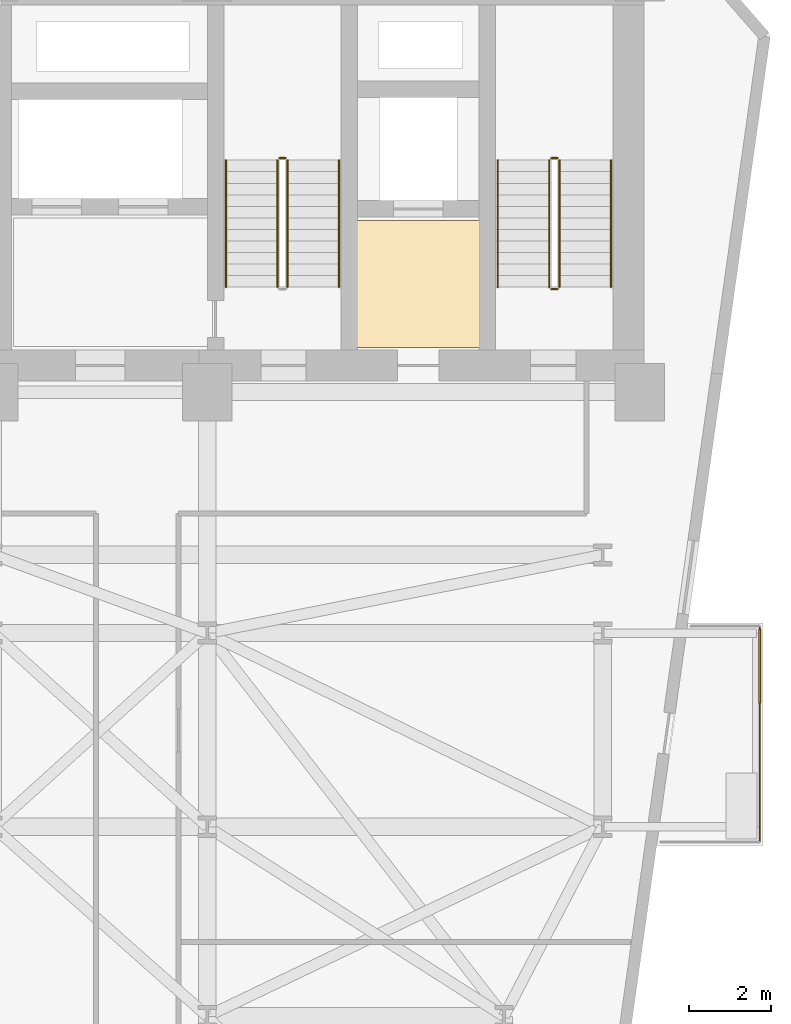
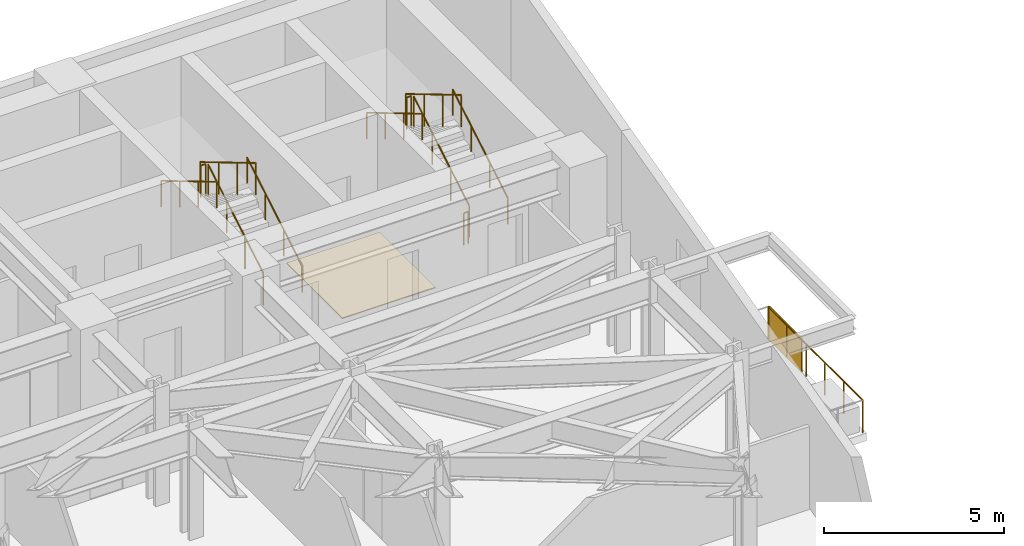
# One storey, part 25 of 25: 12 railings, 1 covering, 1 shading device.
"""IFC4 building model written with IfcOpenShell, lengths in metres."""

from ifc_helpers import new_model, si_unit, direction, frame, origin, origin_2d, place, context, subcontext, project, spatial, polyline, rectangle, circle, outline, extrude, material, layer, layer_set, type_object, element, save


model = new_model("IFC4")

# Units and contexts
model_context = context("Model", 3, precision=1e-05, world=origin(), true_north=direction((0.0, 1.0)))
body_context = subcontext(model_context, "Body", "Model", "MODEL_VIEW")
ifc_project = project(units=[si_unit("LENGTHUNIT", "METRE"), si_unit("AREAUNIT", "SQUARE_METRE"), si_unit("VOLUMEUNIT", "CUBIC_METRE"), si_unit("PLANEANGLEUNIT", "RADIAN"), si_unit("MASSUNIT", "GRAM", prefix="KILO")], contexts=[model_context])

# Site, building, storey
site_placement = place(None, origin())
site = spatial("IfcSite", under=ifc_project, at=site_placement, CompositionType="ELEMENT")
building_placement = place(site_placement, origin())
building = spatial("IfcBuilding", under=site, at=building_placement, Name="Kravanh Interchange Tower", CompositionType="ELEMENT")
storey_placement = place(building_placement, frame((0.0, 0.0, 49.5)))
storey = spatial("IfcBuildingStorey", under=building, at=storey_placement, Name="L11", CompositionType="ELEMENT", Elevation=49.5)

# Covering
ifc_material_1 = material(Name="Cementitious Terrazzo Tile")
ifc_layer_1 = layer(ifc_material_1, 0.030029296875)
ifc_layer_set_1 = layer_set([ifc_layer_1], Name="Honed Terrazzo Lobby Flooring 30mm")
covering_type = type_object("IfcCoveringType", Name="Honed Terrazzo Lobby Flooring 30mm", PredefinedType="FLOORING", material=ifc_layer_set_1)
covering_placement = place(storey_placement, origin())
element("IfcCovering", 1, at=covering_placement, inside=storey, type_object=covering_type, Name="L11 Service Lift Lobby Floor Finish", PredefinedType="FLOORING", context=body_context, shape_type="SweptSolid", body=[
    extrude(outline(polyline([(59.6298828125, 41.52001953125), (62.6201171875, 41.52001953125), (62.6201171875, 38.429931640625), (59.6298828125, 38.429931640625), (59.6298828125, 41.52001953125)])), origin(), (0.0, 0.0, 1.0), 0.030029296875),
])

# Shading device
ifc_material_2 = material(Name="Perforated Anodised Bronze Aluminium", Category="aluminium")
ifc_layer_2 = layer(ifc_material_2, 0.0400390625)
ifc_layer_set_2 = layer_set([ifc_layer_2], Name="Perforated Bronze Balcony Privacy Screen 1150mm")
shading_device_type = type_object("IfcShadingDeviceType", Name="Perforated Bronze Balcony Privacy Screen 1150mm", PredefinedType="USERDEFINED", material=ifc_layer_set_2)
shading_device_placement = place(storey_placement, frame((69.409912109375, 30.699951171875, 0.0), z_axis=(0.0, 0.0, 1.0), x_axis=(1.0, 0.0, 0.0)))
element("IfcShadingDevice", 2, at=shading_device_placement, inside=storey, type_object=shading_device_type, Name="L11 E Perforated Bronze BALCONY SCREEN", ObjectType="SCREEN", PredefinedType="USERDEFINED", context=body_context, shape_type="SweptSolid", body=[
    extrude(rectangle(XDim=0.0400390625, YDim=1.800048828125, at=origin_2d()), origin(), (0.0, 0.0, 1.0), 1.14990234375),
])

# Railings
ifc_material_3 = material(Name="Stainless Steel 316", Category="steel")
ifc_layer_3 = layer(ifc_material_3, 0.06005859375)
ifc_layer_set_3 = layer_set([ifc_layer_3], Name="Perimeter Balcony and Terrace Guardrail Stainless 316 1120mm")
railing_type_1 = type_object("IfcRailingType", Name="Perimeter Balcony and Terrace Guardrail Stainless 316 1120mm", PredefinedType="GUARDRAIL", material=ifc_layer_set_3)
railing_1_placement = place(storey_placement, frame((69.409912109375, 31.669921875, 0.0)))
element("IfcRailing", 3, at=railing_1_placement, inside=storey, type_object=railing_type_1, Name="L11 E Balcony Guardrail 1", PredefinedType="GUARDRAIL", context=body_context, shape_type="SweptSolid", body=[
    extrude(circle(Radius=0.02392578125, at=origin_2d()), frame((0.0, 0.0, 1.09619140625), z_axis=(0.0, -1.0, 0.0), x_axis=(1.0, 0.0, 0.0)), (0.0, 0.0, 1.0), 5.239990234375),
    extrude(circle(Radius=0.02099609375, at=origin_2d()), origin(), (0.0, 0.0, 1.0), 1.072021484375),
    extrude(circle(Radius=0.02099609375, at=origin_2d()), frame((0.0, -1.048095703125, 0.0)), (0.0, 0.0, 1.0), 1.072021484375),
    extrude(circle(Radius=0.02099609375, at=origin_2d()), frame((0.0, -2.095947265625, 0.0)), (0.0, 0.0, 1.0), 1.072021484375),
    extrude(circle(Radius=0.02099609375, at=origin_2d()), frame((0.0, -3.14404296875, 0.0)), (0.0, 0.0, 1.0), 1.072021484375),
    extrude(circle(Radius=0.02099609375, at=origin_2d()), frame((0.0, -4.19189453125, 0.0)), (0.0, 0.0, 1.0), 1.072021484375),
    extrude(circle(Radius=0.02099609375, at=origin_2d()), frame((0.0, -5.239990234375, 0.0)), (0.0, 0.0, 1.0), 1.072021484375),
])
ifc_material_4 = material(Name="Structural Steel S355", Category="steel")
ifc_layer_4 = layer(ifc_material_4, 0.050048828125)
ifc_layer_set_4 = layer_set([ifc_layer_4], Name="Stair Well Guardrail Structural Steel S355 1100mm")
railing_type_2 = type_object("IfcRailingType", Name="Stair Well Guardrail Structural Steel S355 1100mm", PredefinedType="GUARDRAIL", material=ifc_layer_set_4)
railing_2_placement = place(storey_placement, frame((64.550048828125, 39.89990234375, 0.166748046875)))
element("IfcRailing", 4, at=railing_2_placement, inside=storey, type_object=railing_type_2, Name="L11 ST1 stair guard 1", PredefinedType="GUARDRAIL", context=body_context, shape_type="SweptSolid", body=[
    extrude(circle(Radius=0.02392578125, at=origin_2d()), frame((0.0, 0.0, 1.076171875), z_axis=(0.0, 0.859308565015, 0.511457515432), x_axis=(-1.0, 0.0, 0.0)), (0.0, 0.0, 1.0), 3.58447265625),
    extrude(circle(Radius=0.02099609375, at=origin_2d()), origin(), (0.0, 0.0, 1.0), 1.052001953125),
    extrude(circle(Radius=0.02099609375, at=origin_2d()), frame((0.0, 1.026611328125, 0.611083984375)), (0.0, 0.0, 1.0), 1.052001953125),
    extrude(circle(Radius=0.02099609375, at=origin_2d()), frame((0.0, 2.053466796875, 1.22216796875)), (0.0, 0.0, 1.0), 1.052001953125),
    extrude(circle(Radius=0.02099609375, at=origin_2d()), frame((0.0, 3.080078125, 1.833251953125)), (0.0, 0.0, 1.0), 1.052001953125),
])
railing_3_placement = place(storey_placement, frame((64.5, 43.030029296875, 2.0)))
element("IfcRailing", 5, at=railing_3_placement, inside=storey, type_object=railing_type_2, Name="L11 ST1 stair guard 2", PredefinedType="GUARDRAIL", context=body_context, shape_type="SweptSolid", body=[
    extrude(circle(Radius=0.02392578125, at=origin_2d()), frame((0.0, 0.0, 1.076171875), z_axis=(-1.0, 0.0, 0.0), x_axis=(0.0, -1.0, 0.0)), (0.0, 0.0, 1.0), 0.14990234375),
    extrude(circle(Radius=0.02099609375, at=origin_2d()), origin(), (0.0, 0.0, 1.0), 1.052001953125),
    extrude(circle(Radius=0.02099609375, at=origin_2d()), frame((-0.14990234375, 0.0, 0.0)), (0.0, 0.0, 1.0), 1.052001953125),
])
railing_4_placement = place(storey_placement, frame((64.300048828125, 42.97998046875, 2.166748046875)))
element("IfcRailing", 6, at=railing_4_placement, inside=storey, type_object=railing_type_2, Name="L11 ST1 stair guard 3", PredefinedType="GUARDRAIL", context=body_context, shape_type="SweptSolid", body=[
    extrude(circle(Radius=0.02392578125, at=origin_2d()), frame((0.0, 0.0, 1.076171875), z_axis=(0.0, -0.859308565015, 0.511457515432), x_axis=(1.0, 0.0, 0.0)), (0.0, 0.0, 1.0), 3.58447265625),
    extrude(circle(Radius=0.02099609375, at=origin_2d()), origin(), (0.0, 0.0, 1.0), 1.052001953125),
    extrude(circle(Radius=0.02099609375, at=origin_2d()), frame((0.0, -1.026611328125, 0.611083984375)), (0.0, 0.0, 1.0), 1.052001953125),
    extrude(circle(Radius=0.02099609375, at=origin_2d()), frame((0.0, -2.053466796875, 1.22216796875)), (0.0, 0.0, 1.0), 1.052001953125),
    extrude(circle(Radius=0.02099609375, at=origin_2d()), frame((0.0, -3.080078125, 1.833251953125)), (0.0, 0.0, 1.0), 1.052001953125),
])
railing_5_placement = place(storey_placement, frame((64.5, 39.85009765625, 0.0)))
element("IfcRailing", 7, at=railing_5_placement, inside=storey, type_object=railing_type_2, Name="L11 ST1 stair guard 4", PredefinedType="GUARDRAIL", context=body_context, shape_type="SweptSolid", body=[
    extrude(circle(Radius=0.02392578125, at=origin_2d()), frame((0.0, 0.0, 1.076171875), z_axis=(-1.0, 0.0, 0.0), x_axis=(0.0, -1.0, 0.0)), (0.0, 0.0, 1.0), 0.14990234375),
    extrude(circle(Radius=0.02099609375, at=origin_2d()), origin(), (0.0, 0.0, 1.0), 1.052001953125),
    extrude(circle(Radius=0.02099609375, at=origin_2d()), frame((-0.14990234375, 0.0, 0.0)), (0.0, 0.0, 1.0), 1.052001953125),
])
railing_6_placement = place(storey_placement, frame((57.949951171875, 39.89990234375, 0.166748046875)))
element("IfcRailing", 8, at=railing_6_placement, inside=storey, type_object=railing_type_2, Name="L11 ST2 stair guard 1", PredefinedType="GUARDRAIL", context=body_context, shape_type="SweptSolid", body=[
    extrude(circle(Radius=0.02392578125, at=origin_2d()), frame((0.0, 0.0, 1.076171875), z_axis=(0.0, 0.859308565015, 0.511457515432), x_axis=(-1.0, 0.0, 0.0)), (0.0, 0.0, 1.0), 3.58447265625),
    extrude(circle(Radius=0.02099609375, at=origin_2d()), origin(), (0.0, 0.0, 1.0), 1.052001953125),
    extrude(circle(Radius=0.02099609375, at=origin_2d()), frame((0.0, 1.026611328125, 0.611083984375)), (0.0, 0.0, 1.0), 1.052001953125),
    extrude(circle(Radius=0.02099609375, at=origin_2d()), frame((0.0, 2.053466796875, 1.22216796875)), (0.0, 0.0, 1.0), 1.052001953125),
    extrude(circle(Radius=0.02099609375, at=origin_2d()), frame((0.0, 3.080078125, 1.833251953125)), (0.0, 0.0, 1.0), 1.052001953125),
])
railing_7_placement = place(storey_placement, frame((57.89990234375, 43.030029296875, 2.0)))
element("IfcRailing", 9, at=railing_7_placement, inside=storey, type_object=railing_type_2, Name="L11 ST2 stair guard 2", PredefinedType="GUARDRAIL", context=body_context, shape_type="SweptSolid", body=[
    extrude(circle(Radius=0.02392578125, at=origin_2d()), frame((0.0, 0.0, 1.076171875), z_axis=(-1.0, 0.0, 0.0), x_axis=(0.0, -1.0, 0.0)), (0.0, 0.0, 1.0), 0.14990234375),
    extrude(circle(Radius=0.02099609375, at=origin_2d()), origin(), (0.0, 0.0, 1.0), 1.052001953125),
    extrude(circle(Radius=0.02099609375, at=origin_2d()), frame((-0.14990234375, 0.0, 0.0)), (0.0, 0.0, 1.0), 1.052001953125),
])
railing_8_placement = place(storey_placement, frame((57.699951171875, 42.97998046875, 2.166748046875)))
element("IfcRailing", 10, at=railing_8_placement, inside=storey, type_object=railing_type_2, Name="L11 ST2 stair guard 3", PredefinedType="GUARDRAIL", context=body_context, shape_type="SweptSolid", body=[
    extrude(circle(Radius=0.02392578125, at=origin_2d()), frame((0.0, 0.0, 1.076171875), z_axis=(0.0, -0.859308565015, 0.511457515432), x_axis=(1.0, 0.0, 0.0)), (0.0, 0.0, 1.0), 3.58447265625),
    extrude(circle(Radius=0.02099609375, at=origin_2d()), origin(), (0.0, 0.0, 1.0), 1.052001953125),
    extrude(circle(Radius=0.02099609375, at=origin_2d()), frame((0.0, -1.026611328125, 0.611083984375)), (0.0, 0.0, 1.0), 1.052001953125),
    extrude(circle(Radius=0.02099609375, at=origin_2d()), frame((0.0, -2.053466796875, 1.22216796875)), (0.0, 0.0, 1.0), 1.052001953125),
    extrude(circle(Radius=0.02099609375, at=origin_2d()), frame((0.0, -3.080078125, 1.833251953125)), (0.0, 0.0, 1.0), 1.052001953125),
])
ifc_material_5 = material(Name="Stainless Steel 304", Category="steel")
ifc_layer_5 = layer(ifc_material_5, 0.044921875)
ifc_layer_set_5 = layer_set([ifc_layer_5], Name="Tubular Stair Handrail Stainless 304 900mm")
railing_type_3 = type_object("IfcRailingType", Name="Tubular Stair Handrail Stainless 304 900mm", PredefinedType="HANDRAIL", material=ifc_layer_set_5)
railing_9_placement = place(storey_placement, frame((65.800048828125, 39.89990234375, 0.166748046875)))
element("IfcRailing", 11, at=railing_9_placement, inside=storey, type_object=railing_type_3, Name="L11 ST1 stair handrail 1", PredefinedType="HANDRAIL", context=body_context, shape_type="SweptSolid", body=[
    extrude(circle(Radius=0.02392578125, at=origin_2d()), frame((0.0, 0.0, 0.8759765625), z_axis=(0.0, 0.859308565015, 0.511457515432), x_axis=(-1.0, 0.0, 0.0)), (0.0, 0.0, 1.0), 3.58447265625),
    extrude(circle(Radius=0.02099609375, at=origin_2d()), origin(), (0.0, 0.0, 1.0), 0.851806640625),
    extrude(circle(Radius=0.02099609375, at=origin_2d()), frame((0.0, 1.026611328125, 0.611083984375)), (0.0, 0.0, 1.0), 0.851806640625),
    extrude(circle(Radius=0.02099609375, at=origin_2d()), frame((0.0, 2.053466796875, 1.22216796875)), (0.0, 0.0, 1.0), 0.851806640625),
    extrude(circle(Radius=0.02099609375, at=origin_2d()), frame((0.0, 3.080078125, 1.833251953125)), (0.0, 0.0, 1.0), 0.851806640625),
])
railing_10_placement = place(storey_placement, frame((63.050048828125, 42.97998046875, 2.166748046875)))
element("IfcRailing", 12, at=railing_10_placement, inside=storey, type_object=railing_type_3, Name="L11 ST1 stair handrail 2", PredefinedType="HANDRAIL", context=body_context, shape_type="SweptSolid", body=[
    extrude(circle(Radius=0.02392578125, at=origin_2d()), frame((0.0, 0.0, 0.8759765625), z_axis=(0.0, -0.859308565015, 0.511457515432), x_axis=(1.0, 0.0, 0.0)), (0.0, 0.0, 1.0), 3.58447265625),
    extrude(circle(Radius=0.02099609375, at=origin_2d()), origin(), (0.0, 0.0, 1.0), 0.851806640625),
    extrude(circle(Radius=0.02099609375, at=origin_2d()), frame((0.0, -1.026611328125, 0.611083984375)), (0.0, 0.0, 1.0), 0.851806640625),
    extrude(circle(Radius=0.02099609375, at=origin_2d()), frame((0.0, -2.053466796875, 1.22216796875)), (0.0, 0.0, 1.0), 0.851806640625),
    extrude(circle(Radius=0.02099609375, at=origin_2d()), frame((0.0, -3.080078125, 1.833251953125)), (0.0, 0.0, 1.0), 0.851806640625),
])
railing_11_placement = place(storey_placement, frame((59.199951171875, 39.89990234375, 0.166748046875)))
element("IfcRailing", 13, at=railing_11_placement, inside=storey, type_object=railing_type_3, Name="L11 ST2 stair handrail 1", PredefinedType="HANDRAIL", context=body_context, shape_type="SweptSolid", body=[
    extrude(circle(Radius=0.02392578125, at=origin_2d()), frame((0.0, 0.0, 0.8759765625), z_axis=(0.0, 0.859308565015, 0.511457515432), x_axis=(-1.0, 0.0, 0.0)), (0.0, 0.0, 1.0), 3.58447265625),
    extrude(circle(Radius=0.02099609375, at=origin_2d()), origin(), (0.0, 0.0, 1.0), 0.851806640625),
    extrude(circle(Radius=0.02099609375, at=origin_2d()), frame((0.0, 1.026611328125, 0.611083984375)), (0.0, 0.0, 1.0), 0.851806640625),
    extrude(circle(Radius=0.02099609375, at=origin_2d()), frame((0.0, 2.053466796875, 1.22216796875)), (0.0, 0.0, 1.0), 0.851806640625),
    extrude(circle(Radius=0.02099609375, at=origin_2d()), frame((0.0, 3.080078125, 1.833251953125)), (0.0, 0.0, 1.0), 0.851806640625),
])
railing_12_placement = place(storey_placement, frame((56.449951171875, 42.97998046875, 2.166748046875)))
element("IfcRailing", 14, at=railing_12_placement, inside=storey, type_object=railing_type_3, Name="L11 ST2 stair handrail 2", PredefinedType="HANDRAIL", context=body_context, shape_type="SweptSolid", body=[
    extrude(circle(Radius=0.02392578125, at=origin_2d()), frame((0.0, 0.0, 0.8759765625), z_axis=(0.0, -0.859308565015, 0.511457515432), x_axis=(1.0, 0.0, 0.0)), (0.0, 0.0, 1.0), 3.58447265625),
    extrude(circle(Radius=0.02099609375, at=origin_2d()), origin(), (0.0, 0.0, 1.0), 0.851806640625),
    extrude(circle(Radius=0.02099609375, at=origin_2d()), frame((0.0, -1.026611328125, 0.611083984375)), (0.0, 0.0, 1.0), 0.851806640625),
    extrude(circle(Radius=0.02099609375, at=origin_2d()), frame((0.0, -2.053466796875, 1.22216796875)), (0.0, 0.0, 1.0), 0.851806640625),
    extrude(circle(Radius=0.02099609375, at=origin_2d()), frame((0.0, -3.080078125, 1.833251953125)), (0.0, 0.0, 1.0), 0.851806640625),
])

save(model, "model.ifc")
